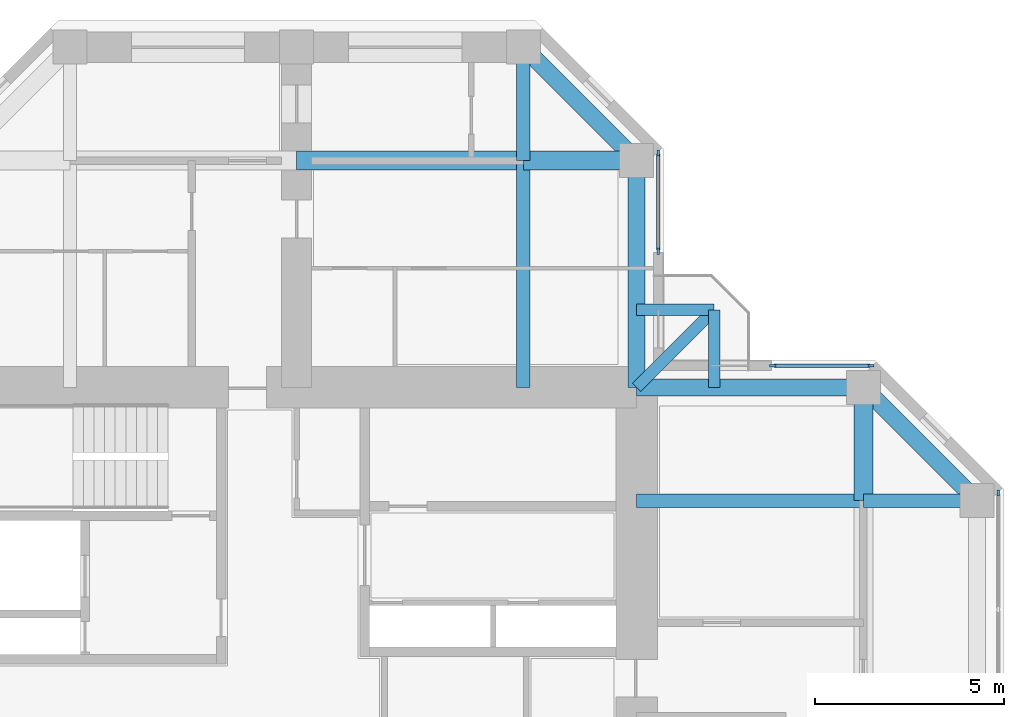
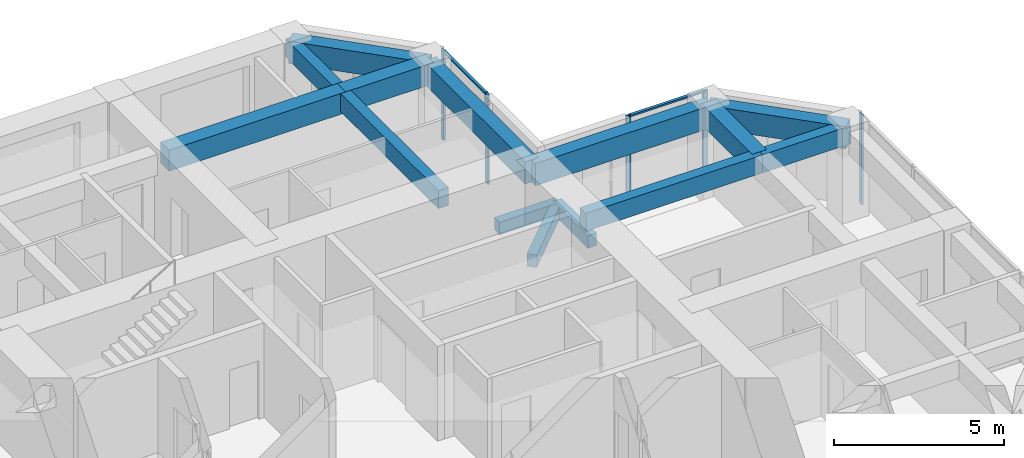
# One storey, part 6 of 14: 14 beams, 7 members, 3 elements without a shape of their own.
"""IFC4 building model written with IfcOpenShell, lengths in metres."""

from ifc_helpers import new_model, si_unit, direction, frame, origin, origin_2d, place, context, subcontext, project, spatial, rectangle, extrude, material, material_profile, profile_set, type_object, element, aggregate, save


model = new_model("IFC4")

# Units and contexts
model_context = context("Model", 3, precision=1e-05, world=origin(), true_north=direction((0.0, 1.0)))
body_context = subcontext(model_context, "Body", "Model", "MODEL_VIEW")
ifc_project = project(units=[si_unit("LENGTHUNIT", "METRE"), si_unit("AREAUNIT", "SQUARE_METRE"), si_unit("VOLUMEUNIT", "CUBIC_METRE"), si_unit("PLANEANGLEUNIT", "RADIAN"), si_unit("MASSUNIT", "GRAM", prefix="KILO")], contexts=[model_context])

# Site, building, storey
site_placement = place(None, origin())
site = spatial("IfcSite", under=ifc_project, at=site_placement, CompositionType="ELEMENT")
building_placement = place(site_placement, origin())
building = spatial("IfcBuilding", under=site, at=building_placement, Name="Torre Cruceta", CompositionType="ELEMENT")
storey_placement = place(building_placement, frame((0.0, 0.0, 206.89990234375)))
storey = spatial("IfcBuildingStorey", under=building, at=storey_placement, Name="L52", CompositionType="ELEMENT", Elevation=206.89990234375)

# Beams
ifc_material_1 = material(Name="Concrete G60 (fck 60 MPa)", Category="concrete")
ifc_material_profile_1 = material_profile(ifc_material_1, rectangle(XDim=0.300048828125, YDim=0.449951171875, at=origin_2d()), Name="RC 300X450")
ifc_profile_set_1 = profile_set([ifc_material_profile_1], Name="Concrete G60 (fck 60 MPa)")
beam_type_1 = type_object("IfcBeamType", Name="BALCONY CANTILEVER BEAM RC 300X450", PredefinedType="BEAM", material=ifc_profile_set_1)
beam_1_placement = place(storey_placement, frame((9.0, 9.0, -0.40478515625), z_axis=(0.707106781187, 0.707106781187, 0.0), x_axis=(-0.707106781187, 0.707106781187, 0.0)))
element("IfcBeam", 1, at=beam_1_placement, inside=storey, type_object=beam_type_1, Name="BB1 balcony beam L52 E", PredefinedType="BEAM", context=body_context, shape_type="SweptSolid", body=[
    extrude(rectangle(XDim=0.300048828125, YDim=0.449951171875, at=origin_2d()), origin(), (0.0, 0.0, 1.0), 2.89990234375),
])
for number, where, z_axis, x_axis, name in (
    (2, (11.050537109375, 9.0, -0.40478515625), (0.0, 1.0, 0.0), (-1.0, 0.0, 0.0), "BB1 balcony edge beam L52 E-X"),
    (3, (9.0, 11.050537109375, -0.40478515625), (1.0, 0.0, 0.0), (0.0, 1.0, 0.0), "BB1 balcony edge beam L52 E-Y"),
):
    element("IfcBeam", number, at=place(storey_placement, frame(where, z_axis=z_axis, x_axis=x_axis)), inside=storey, type_object=beam_type_1, Name=name, PredefinedType="BEAM", context=body_context, shape_type="SweptSolid", body=[
        extrude(rectangle(XDim=0.300048828125, YDim=0.449951171875, at=origin_2d()), origin(), (0.0, 0.0, 1.0), 2.050537109375),
    ])
ifc_material_2 = material(Name="Concrete G60 (fck 60 MPa)", Category="concrete")
ifc_material_profile_2 = material_profile(ifc_material_2, rectangle(XDim=0.35009765625, YDim=0.64990234375, at=origin_2d()), Name="RC 350X650")
ifc_profile_set_2 = profile_set([ifc_material_profile_2], Name="Concrete G60 (fck 60 MPa)")
beam_type_2 = type_object("IfcBeamType", Name="COLUMN LINE BEAM RC 350X650", PredefinedType="BEAM", material=ifc_profile_set_2)
beam_2_placement = place(storey_placement, frame((6.0, 9.0, 2.89501953125), z_axis=(0.0, 1.0, 0.0), x_axis=(-1.0, 0.0, 0.0)))
element("IfcBeam", 4, at=beam_2_placement, inside=storey, type_object=beam_type_2, Name="LB7 L52 N col- 1", PredefinedType="BEAM", context=body_context, shape_type="SweptSolid", body=[
    extrude(rectangle(XDim=0.35009765625, YDim=0.64990234375, at=origin_2d()), origin(), (0.0, 0.0, 1.0), 6.0),
])
beam_3_placement = place(storey_placement, frame((6.0, 15.0, 2.89501953125), z_axis=(0.0, 1.0, 0.0), x_axis=(-1.0, 0.0, 0.0)))
element("IfcBeam", 5, at=beam_3_placement, inside=storey, type_object=beam_type_2, Name="LB7 L52 N col- 2", PredefinedType="BEAM", context=body_context, shape_type="SweptSolid", body=[
    extrude(rectangle(XDim=0.35009765625, YDim=0.64990234375, at=origin_2d()), origin(), (0.0, 0.0, 1.0), 3.0),
])
beam_4_placement = place(storey_placement, frame((9.0, 6.0, 2.89501953125), z_axis=(1.0, 0.0, 0.0), x_axis=(0.0, 1.0, 0.0)))
element("IfcBeam", 6, at=beam_4_placement, inside=storey, type_object=beam_type_2, Name="LB7 L52 E col+ 1", PredefinedType="BEAM", context=body_context, shape_type="SweptSolid", body=[
    extrude(rectangle(XDim=0.35009765625, YDim=0.64990234375, at=origin_2d()), origin(), (0.0, 0.0, 1.0), 6.0),
])
beam_5_placement = place(storey_placement, frame((15.0, 6.0, 2.89501953125), z_axis=(1.0, 0.0, 0.0), x_axis=(0.0, 1.0, 0.0)))
element("IfcBeam", 7, at=beam_5_placement, inside=storey, type_object=beam_type_2, Name="LB7 L52 E col+ 2", PredefinedType="BEAM", context=body_context, shape_type="SweptSolid", body=[
    extrude(rectangle(XDim=0.35009765625, YDim=0.64990234375, at=origin_2d()), origin(), (0.0, 0.0, 1.0), 3.0),
])
ifc_material_3 = material(Name="Concrete G60 (fck 60 MPa)", Category="concrete")
ifc_material_profile_3 = material_profile(ifc_material_3, rectangle(XDim=0.5, YDim=0.75, at=origin_2d()), Name="RC 500X750")
ifc_profile_set_3 = profile_set([ifc_material_profile_3], Name="Concrete G60 (fck 60 MPa)")
beam_type_3 = type_object("IfcBeamType", Name="CROSS BEAM RC 500X750", PredefinedType="BEAM", material=ifc_profile_set_3)
beam_6_placement = place(storey_placement, frame((9.0, 15.0, 2.84521484375), z_axis=(-1.0, 0.0, 0.0), x_axis=(0.0, -1.0, 0.0)))
element("IfcBeam", 8, at=beam_6_placement, inside=storey, type_object=beam_type_3, Name="GB6 L52 N cross15 1", PredefinedType="BEAM", context=body_context, shape_type="SweptSolid", body=[
    extrude(rectangle(XDim=0.5, YDim=0.75, at=origin_2d()), origin(), (0.0, 0.0, 1.0), 3.0),
])
beam_7_placement = place(storey_placement, frame((6.0, 15.0, 2.84521484375), z_axis=(-1.0, 0.0, 0.0), x_axis=(0.0, -1.0, 0.0)))
element("IfcBeam", 9, at=beam_7_placement, inside=storey, type_object=beam_type_3, Name="GB6 L52 N cross15 2", PredefinedType="BEAM", context=body_context, shape_type="SweptSolid", body=[
    extrude(rectangle(XDim=0.5, YDim=0.75, at=origin_2d()), origin(), (0.0, 0.0, 1.0), 6.0),
])
beam_8_placement = place(storey_placement, frame((15.0, 6.0, 2.84521484375), z_axis=(0.0, 1.0, 0.0), x_axis=(-1.0, 0.0, 0.0)))
element("IfcBeam", 10, at=beam_8_placement, inside=storey, type_object=beam_type_3, Name="GB6 L52 E cross15 4", PredefinedType="BEAM", context=body_context, shape_type="SweptSolid", body=[
    extrude(rectangle(XDim=0.5, YDim=0.75, at=origin_2d()), origin(), (0.0, 0.0, 1.0), 3.0),
])

# Curtain wall, member
ifc_material_4 = material(Name="Aluminium unitised curtain wall", Category="aluminium")
curtain_wall_type = type_object("IfcCurtainWallType", Name="CURTAIN WALL CW-C CO-LIVING", PredefinedType="USERDEFINED", material=ifc_material_4)
curtain_wall_1_placement = place(storey_placement, origin())
curtain_wall_1 = element("IfcCurtainWall", 11, at=curtain_wall_1_placement, inside=storey, type_object=curtain_wall_type, Name="CW-C L52 E tip 02", ObjectType="UNITISED", PredefinedType="USERDEFINED")
ifc_material_5 = material(Name="Aluminium mullion", Category="aluminium")
ifc_material_profile_4 = material_profile(ifc_material_5, rectangle(XDim=0.06005859375, YDim=0.159912109375, at=origin_2d()), Name="AL 60X160")
ifc_profile_set_4 = profile_set([ifc_material_profile_4], Name="Aluminium mullion")
member_type_1 = type_object("IfcMemberType", Name="CW-C MULLION 60X160", PredefinedType="MULLION", material=ifc_profile_set_4)
member_1_placement = place(storey_placement, frame((18.570068359375, 6.2060546875, 0.0), z_axis=(0.0, 0.0, 1.0), x_axis=(-1.0, 0.0, 0.0)))
member_1 = element("IfcMember", 12, at=member_1_placement, type_object=member_type_1, Name="CW-C mullion 5", PredefinedType="MULLION", context=body_context, shape_type="SweptSolid", body=[
    extrude(rectangle(XDim=0.06005859375, YDim=0.159912109375, at=origin_2d()), origin(), (0.0, 0.0, 1.0), 3.22021484375),
])
aggregate(curtain_wall_1, [member_1])

# Curtain wall, members
curtain_wall_2_placement = place(storey_placement, origin())
curtain_wall_2 = element("IfcCurtainWall", 13, at=curtain_wall_2_placement, inside=storey, type_object=curtain_wall_type, Name="CW-C L52 E side 04", ObjectType="UNITISED", PredefinedType="USERDEFINED")
member_2_placement = place(storey_placement, frame((15.2060546875, 9.570068359375, 0.0), z_axis=(0.0, 0.0, 1.0), x_axis=(0.0, -1.0, 0.0)))
member_2 = element("IfcMember", 14, at=member_2_placement, type_object=member_type_1, Name="CW-C mullion 1", PredefinedType="MULLION", context=body_context, shape_type="SweptSolid", body=[
    extrude(rectangle(XDim=0.06005859375, YDim=0.159912109375, at=origin_2d()), origin(), (0.0, 0.0, 1.0), 3.22021484375),
])
member_3_placement = place(storey_placement, frame((12.60009765625, 9.570068359375, 0.0), z_axis=(0.0, 0.0, 1.0), x_axis=(0.0, -1.0, 0.0)))
member_3 = element("IfcMember", 15, at=member_3_placement, type_object=member_type_1, Name="CW-C mullion 2", PredefinedType="MULLION", context=body_context, shape_type="SweptSolid", body=[
    extrude(rectangle(XDim=0.06005859375, YDim=0.159912109375, at=origin_2d()), origin(), (0.0, 0.0, 1.0), 3.22021484375),
])

curtain_wall_3_placement = place(storey_placement, origin())
curtain_wall_3 = element("IfcCurtainWall", 16, at=curtain_wall_3_placement, inside=storey, type_object=curtain_wall_type, Name="CW-C L52 N side 05", ObjectType="UNITISED", PredefinedType="USERDEFINED")
member_4_placement = place(storey_placement, frame((9.570068359375, 12.60009765625, 0.0), z_axis=(0.0, 0.0, 1.0), x_axis=(-1.0, 0.0, 0.0)))
member_4 = element("IfcMember", 17, at=member_4_placement, type_object=member_type_1, Name="CW-C mullion 1", PredefinedType="MULLION", context=body_context, shape_type="SweptSolid", body=[
    extrude(rectangle(XDim=0.06005859375, YDim=0.159912109375, at=origin_2d()), origin(), (0.0, 0.0, 1.0), 3.22021484375),
])
member_5_placement = place(storey_placement, frame((9.570068359375, 15.2060546875, 0.0), z_axis=(0.0, 0.0, 1.0), x_axis=(-1.0, 0.0, 0.0)))
member_5 = element("IfcMember", 18, at=member_5_placement, type_object=member_type_1, Name="CW-C mullion 2", PredefinedType="MULLION", context=body_context, shape_type="SweptSolid", body=[
    extrude(rectangle(XDim=0.06005859375, YDim=0.159912109375, at=origin_2d()), origin(), (0.0, 0.0, 1.0), 3.22021484375),
])

# Member
ifc_material_6 = material(Name="Aluminium transom", Category="aluminium")
ifc_material_profile_5 = material_profile(ifc_material_6, rectangle(XDim=0.10009765625, YDim=0.06005859375, at=origin_2d()), Name="AL 100X60")
ifc_profile_set_5 = profile_set([ifc_material_profile_5], Name="Aluminium transom")
member_type_2 = type_object("IfcMemberType", Name="CW-C TRANSOM 60X100", PredefinedType="USERDEFINED", material=ifc_profile_set_5)
member_6_placement = place(storey_placement, frame((15.176025390625, 9.570068359375, 3.190185546875), z_axis=(-1.0, 0.0, 0.0), x_axis=(0.0, -1.0, 0.0)))
member_6 = element("IfcMember", 19, at=member_6_placement, type_object=member_type_2, Name="CW-C transom 1", ObjectType="TRANSOM", PredefinedType="USERDEFINED", context=body_context, shape_type="SweptSolid", body=[
    extrude(rectangle(XDim=0.10009765625, YDim=0.06005859375, at=origin_2d()), origin(), (0.0, 0.0, 1.0), 2.546142578125),
])

aggregate(curtain_wall_2, [member_2, member_3, member_6])

member_7_placement = place(storey_placement, frame((9.570068359375, 12.6298828125, 3.190185546875), z_axis=(0.0, 1.0, 0.0), x_axis=(-1.0, 0.0, 0.0)))
member_7 = element("IfcMember", 20, at=member_7_placement, type_object=member_type_2, Name="CW-C transom 1", ObjectType="TRANSOM", PredefinedType="USERDEFINED", context=body_context, shape_type="SweptSolid", body=[
    extrude(rectangle(XDim=0.10009765625, YDim=0.06005859375, at=origin_2d()), origin(), (0.0, 0.0, 1.0), 2.546142578125),
])

aggregate(curtain_wall_3, [member_4, member_5, member_7])

# Beams
ifc_material_7 = material(Name="Concrete G60 (fck 60 MPa)", Category="concrete")
ifc_material_profile_6 = material_profile(ifc_material_7, rectangle(XDim=0.449951171875, YDim=0.800048828125, at=origin_2d()), Name="RC 450X800")
ifc_profile_set_6 = profile_set([ifc_material_profile_6], Name="Concrete G60 (fck 60 MPa)")
beam_type_4 = type_object("IfcBeamType", Name="SPANDREL BEAM RC 450X800", PredefinedType="SPANDREL", material=ifc_profile_set_6)
beam_9_placement = place(storey_placement, frame((9.0, 9.0, 2.820068359375), z_axis=(0.0, 1.0, 0.0), x_axis=(-1.0, 0.0, 0.0)))
element("IfcBeam", 21, at=beam_9_placement, inside=storey, type_object=beam_type_4, Name="SB6 L52 N side- 1", PredefinedType="SPANDREL", context=body_context, shape_type="SweptSolid", body=[
    extrude(rectangle(XDim=0.449951171875, YDim=0.800048828125, at=origin_2d()), origin(), (0.0, 0.0, 1.0), 6.0),
])
beam_10_placement = place(storey_placement, frame((9.0, 15.0, 2.820068359375), z_axis=(-0.707106781187, 0.707106781187, 0.0), x_axis=(-0.707106781187, -0.707106781187, 0.0)))
element("IfcBeam", 22, at=beam_10_placement, inside=storey, type_object=beam_type_4, Name="SB6 L52 N side- 2", PredefinedType="SPANDREL", context=body_context, shape_type="SweptSolid", body=[
    extrude(rectangle(XDim=0.449951171875, YDim=0.800048828125, at=origin_2d()), origin(), (0.0, 0.0, 1.0), 4.24267578125),
])
beam_11_placement = place(storey_placement, frame((9.0, 9.0, 2.820068359375), z_axis=(1.0, 0.0, 0.0), x_axis=(0.0, 1.0, 0.0)))
element("IfcBeam", 23, at=beam_11_placement, inside=storey, type_object=beam_type_4, Name="SB6 L52 E side+ 1", PredefinedType="SPANDREL", context=body_context, shape_type="SweptSolid", body=[
    extrude(rectangle(XDim=0.449951171875, YDim=0.800048828125, at=origin_2d()), origin(), (0.0, 0.0, 1.0), 6.0),
])
beam_12_placement = place(storey_placement, frame((15.0, 9.0, 2.820068359375), z_axis=(0.707106781187, -0.707106781187, 0.0), x_axis=(0.707106781187, 0.707106781187, 0.0)))
element("IfcBeam", 24, at=beam_12_placement, inside=storey, type_object=beam_type_4, Name="SB6 L52 E side+ 2", PredefinedType="SPANDREL", context=body_context, shape_type="SweptSolid", body=[
    extrude(rectangle(XDim=0.449951171875, YDim=0.800048828125, at=origin_2d()), origin(), (0.0, 0.0, 1.0), 4.24267578125),
])

save(model, "model.ifc")
